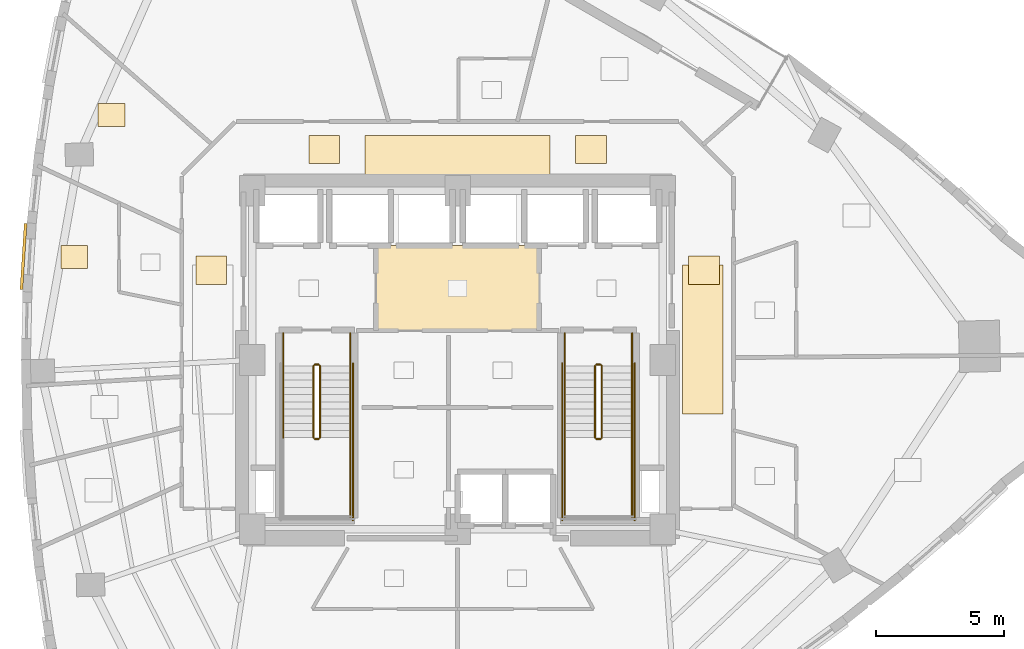
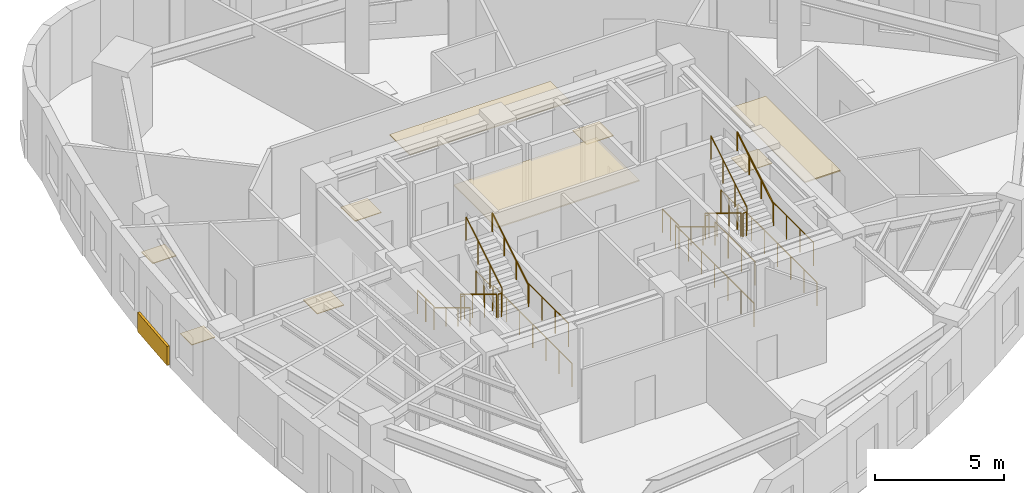
# One storey, part 12 of 13: 22 railings, 10 coverings.
"""IFC4 building model written with IfcOpenShell, lengths in metres."""

from ifc_helpers import new_model, si_unit, direction, frame, origin, origin_2d, place, context, subcontext, project, spatial, rectangle, circle, extrude, material, layer, layer_set, type_object, element, save


model = new_model("IFC4")

# Units and contexts
model_context = context("Model", 3, precision=1e-05, world=origin(), true_north=direction((0.0, 1.0)))
body_context = subcontext(model_context, "Body", "Model", "MODEL_VIEW")
ifc_project = project(units=[si_unit("LENGTHUNIT", "METRE"), si_unit("AREAUNIT", "SQUARE_METRE"), si_unit("VOLUMEUNIT", "CUBIC_METRE"), si_unit("PLANEANGLEUNIT", "RADIAN"), si_unit("MASSUNIT", "GRAM", prefix="KILO")], contexts=[model_context])

# Site, building, storey
site_placement = place(None, origin())
site = spatial("IfcSite", under=ifc_project, at=site_placement, CompositionType="ELEMENT")
building_placement = place(site_placement, origin())
building = spatial("IfcBuilding", under=site, at=building_placement, Name="Ndelora Gate Hotel", CompositionType="ELEMENT")
storey_placement = place(building_placement, frame((0.0, 0.0, 123.5)))
storey = spatial("IfcBuildingStorey", under=building, at=storey_placement, Name="L30", CompositionType="ELEMENT", Elevation=123.5)

# Coverings
ifc_material_1 = material(Name="Perforated Acoustic Gypsum Board", Category="gypsum")
ifc_layer_1 = layer(ifc_material_1, 0.054931640625)
ifc_layer_set_1 = layer_set([ifc_layer_1], Name="Perforated Acoustic Gypsum Board")
covering_type_1 = type_object("IfcCoveringType", Name="COV-CEIL-AC60", PredefinedType="CEILING", material=ifc_layer_set_1)
covering_1_placement = place(storey_placement, frame((0.0, 2.800048828125, 2.72265625), z_axis=(0.0, 0.0, 1.0), x_axis=(1.0, 0.0, 0.0)))
element("IfcCovering", 1, at=covering_1_placement, inside=storey, type_object=covering_type_1, Name="L30 Lift Lobby Acoustic Ceiling", PredefinedType="CEILING", context=body_context, shape_type="SweptSolid", body=[
    extrude(rectangle(XDim=6.39990234375, YDim=3.340087890625, at=origin_2d()), origin(), (0.0, 0.0, 1.0), 0.054931640625),
])
covering_2_placement = place(storey_placement, frame((0.0, 7.9599609375, 2.65234375), z_axis=(0.0, 0.0, 1.0), x_axis=(1.0, 0.0, 0.0)))
element("IfcCovering", 2, at=covering_2_placement, inside=storey, type_object=covering_type_1, Name="L30 Guest Corridor Acoustic Ceiling N", PredefinedType="CEILING", context=body_context, shape_type="SweptSolid", body=[
    extrude(rectangle(XDim=7.199951171875, YDim=1.580078125, at=origin_2d()), origin(), (0.0, 0.0, 1.0), 0.054931640625),
])
covering_3_placement = place(storey_placement, frame((9.550048828125, 0.800048828125, 2.65234375), z_axis=(0.0, 0.0, 1.0), x_axis=(1.0, 0.0, 0.0)))
element("IfcCovering", 3, at=covering_3_placement, inside=storey, type_object=covering_type_1, Name="L30 Guest Corridor Acoustic Ceiling E", PredefinedType="CEILING", context=body_context, shape_type="SweptSolid", body=[
    extrude(rectangle(XDim=1.580078125, YDim=5.800048828125, at=origin_2d()), origin(), (0.0, 0.0, 1.0), 0.054931640625),
])
ifc_material_2 = material(Name="Terracotta Fired Clay Brick Slip Cladding", Category="masonry")
ifc_layer_2 = layer(ifc_material_2, 0.110107421875)
ifc_layer_set_2 = layer_set([ifc_layer_2], Name="Terracotta Fired Clay Brick Slip Cladding")
covering_type_2 = type_object("IfcCoveringType", Name="COV-CLAD-BRK", PredefinedType="CLADDING", material=ifc_layer_set_2)
covering_4_placement = place(storey_placement, frame((-16.9208984375, 4.033203125, 0.10009765625), z_axis=(0.0, 0.0, 1.0), x_axis=(0.063661438132, 0.99797155335, 0.0)))
element("IfcCovering", 4, at=covering_4_placement, inside=storey, type_object=covering_type_2, Name="L30 Rounded-Corner Brick Cladding Band 13", PredefinedType="CLADDING", context=body_context, shape_type="SweptSolid", body=[
    extrude(rectangle(XDim=2.583984375, YDim=0.110107421875, at=origin_2d()), origin(), (0.0, 0.0, 1.0), 0.89990234375),
])
ifc_material_3 = material(Name="Engineered Highland Oak Parquet", Category="wood")
ifc_layer_3 = layer(ifc_material_3, 0.030029296875)
ifc_layer_set_3 = layer_set([ifc_layer_3], Name="Engineered Highland Oak Parquet")
covering_type_3 = type_object("IfcCoveringType", Name="COV-FLR-PARQ", PredefinedType="FLOORING", material=ifc_layer_set_3)
for number, where, z_axis, x_axis, name in (
    (5, (-13.49609375, 9.548828125, 0.0), (0.0, 0.0, 1.0), (1.0, 0.0, 0.0), "L30 Butler Finishing Kitchen Oak Parquet Flooring"),
    (6, (-14.9443359375, 4.015869140625, 0.0), (0.0, 0.0, 1.0), (1.0, 0.0, 0.0), "L30 Club Superior Guest Room 3306 Oak Parquet Flooring"),
):
    element("IfcCovering", number, at=place(storey_placement, frame(where, z_axis=z_axis, x_axis=x_axis)), inside=storey, type_object=covering_type_3, Name=name, PredefinedType="FLOORING", context=body_context, shape_type="SweptSolid", body=[
        extrude(rectangle(XDim=1.050048828125, YDim=0.89990234375, at=origin_2d()), origin(), (0.0, 0.0, 1.0), 0.030029296875),
    ])
ifc_material_4 = material(Name="Polished Highland Stone Terrazzo", Category="masonry")
ifc_layer_4 = layer(ifc_material_4, 0.034912109375)
ifc_layer_set_4 = layer_set([ifc_layer_4], Name="Polished Highland Stone Terrazzo")
covering_type_4 = type_object("IfcCoveringType", Name="COV-FLR-TERZ", PredefinedType="FLOORING", material=ifc_layer_set_4)
for number, where, z_axis, x_axis, name in (
    (7, (-5.199951171875, 8.199951171875, 0.0), (0.0, 0.0, 1.0), (1.0, 0.0, 0.0), "L30 Corridor Threshold Terrazzo Inlay NW"),
    (8, (5.199951171875, 8.199951171875, 0.0), (0.0, 0.0, 1.0), (1.0, 0.0, 0.0), "L30 Corridor Threshold Terrazzo Inlay NE"),
    (9, (-9.60009765625, 3.5, 0.0), (0.0, 0.0, 1.0), (1.0, 0.0, 0.0), "L30 Corridor Threshold Terrazzo Inlay W"),
    (10, (9.60009765625, 3.5, 0.0), (0.0, 0.0, 1.0), (1.0, 0.0, 0.0), "L30 Corridor Threshold Terrazzo Inlay E"),
):
    element("IfcCovering", number, at=place(storey_placement, frame(where, z_axis=z_axis, x_axis=x_axis)), inside=storey, type_object=covering_type_4, Name=name, PredefinedType="FLOORING", context=body_context, shape_type="SweptSolid", body=[
        extrude(rectangle(XDim=1.199951171875, YDim=1.10009765625, at=origin_2d()), origin(), (0.0, 0.0, 1.0), 0.034912109375),
    ])

# Railings
ifc_material_5 = material(Name="Painted Galvanized Steel Balustrade", Category="steel")
ifc_layer_5 = layer(ifc_material_5, 0.06005859375)
ifc_layer_set_5 = layer_set([ifc_layer_5], Name="Painted Galvanized Steel Balustrade")
railing_type_1 = type_object("IfcRailingType", Name="RL-STAIR-GD", PredefinedType="GUARDRAIL", material=ifc_layer_set_5)
railing_1_placement = place(storey_placement, frame((-5.6201171875, -0.22998046875, 0.17041015625)))
element("IfcRailing", 11, at=railing_1_placement, inside=storey, type_object=railing_type_1, Name="L30 ST4 stair guard 1", PredefinedType="GUARDRAIL", context=body_context, shape_type="SweptSolid", body=[
    extrude(circle(Radius=0.02392578125, at=origin_2d()), frame((0.0, 0.0, 1.10595703125), z_axis=(0.0, -0.854169791009, 0.51999420009), x_axis=(1.0, 0.0, 0.0)), (0.0, 0.0, 1.0), 3.278076171875),
    extrude(circle(Radius=0.02099609375, at=origin_2d()), origin(), (0.0, 0.0, 1.0), 1.081787109375),
    extrude(circle(Radius=0.02099609375, at=origin_2d()), frame((0.0, -0.933349609375, 0.568115234375)), (0.0, 0.0, 1.0), 1.081787109375),
    extrude(circle(Radius=0.02099609375, at=origin_2d()), frame((0.0, -1.86669921875, 1.136474609375)), (0.0, 0.0, 1.0), 1.081787109375),
    extrude(circle(Radius=0.02099609375, at=origin_2d()), frame((0.0, -2.800048828125, 1.70458984375)), (0.0, 0.0, 1.0), 1.081787109375),
])
railing_2_placement = place(storey_placement, frame((-5.570068359375, -3.080078125, 1.875)))
element("IfcRailing", 12, at=railing_2_placement, inside=storey, type_object=railing_type_1, Name="L30 ST4 stair guard 2", PredefinedType="GUARDRAIL", context=body_context, shape_type="SweptSolid", body=[
    extrude(circle(Radius=0.02392578125, at=origin_2d()), frame((0.0, 0.0, 1.10595703125), z_axis=(1.0, 0.0, 0.0), x_axis=(0.0, 1.0, 0.0)), (0.0, 0.0, 1.0), 0.16015625),
    extrude(circle(Radius=0.02099609375, at=origin_2d()), origin(), (0.0, 0.0, 1.0), 1.081787109375),
    extrude(circle(Radius=0.02099609375, at=origin_2d()), frame((0.16015625, 0.0, 0.0)), (0.0, 0.0, 1.0), 1.081787109375),
])
railing_3_placement = place(storey_placement, frame((-4.179931640625, -3.030029296875, 1.875)))
element("IfcRailing", 13, at=railing_3_placement, inside=storey, type_object=railing_type_1, Name="L30 ST4 stair guard 4", PredefinedType="GUARDRAIL", context=body_context, shape_type="SweptSolid", body=[
    extrude(circle(Radius=0.02392578125, at=origin_2d()), frame((0.0, 0.0, 1.10595703125), z_axis=(0.0, -1.0, 0.0), x_axis=(1.0, 0.0, 0.0)), (0.0, 0.0, 1.0), 3.119873046875),
    extrude(circle(Radius=0.02099609375, at=origin_2d()), origin(), (0.0, 0.0, 1.0), 1.081787109375),
    extrude(circle(Radius=0.02099609375, at=origin_2d()), frame((0.0, -1.0400390625, 0.0)), (0.0, 0.0, 1.0), 1.081787109375),
    extrude(circle(Radius=0.02099609375, at=origin_2d()), frame((0.0, -2.079833984375, 0.0)), (0.0, 0.0, 1.0), 1.081787109375),
    extrude(circle(Radius=0.02099609375, at=origin_2d()), frame((0.0, -3.119873046875, 0.0)), (0.0, 0.0, 1.0), 1.081787109375),
])
railing_4_placement = place(storey_placement, frame((-5.360107421875, -3.030029296875, 2.04541015625)))
element("IfcRailing", 14, at=railing_4_placement, inside=storey, type_object=railing_type_1, Name="L30 ST4 stair guard 6", PredefinedType="GUARDRAIL", context=body_context, shape_type="SweptSolid", body=[
    extrude(circle(Radius=0.02392578125, at=origin_2d()), frame((0.0, 0.0, 1.10595703125), z_axis=(0.0, 0.854169791009, 0.51999420009), x_axis=(-1.0, 0.0, 0.0)), (0.0, 0.0, 1.0), 3.278076171875),
    extrude(circle(Radius=0.02099609375, at=origin_2d()), origin(), (0.0, 0.0, 1.0), 1.081787109375),
    extrude(circle(Radius=0.02099609375, at=origin_2d()), frame((0.0, 0.933349609375, 0.568115234375)), (0.0, 0.0, 1.0), 1.081787109375),
    extrude(circle(Radius=0.02099609375, at=origin_2d()), frame((0.0, 1.86669921875, 1.136474609375)), (0.0, 0.0, 1.0), 1.081787109375),
    extrude(circle(Radius=0.02099609375, at=origin_2d()), frame((0.0, 2.800048828125, 1.70458984375)), (0.0, 0.0, 1.0), 1.081787109375),
])
railing_5_placement = place(storey_placement, frame((-5.570068359375, -0.179931640625, 0.0)))
element("IfcRailing", 15, at=railing_5_placement, inside=storey, type_object=railing_type_1, Name="L30 ST4 stair guard 7", PredefinedType="GUARDRAIL", context=body_context, shape_type="SweptSolid", body=[
    extrude(circle(Radius=0.02392578125, at=origin_2d()), frame((0.0, 0.0, 1.10595703125), z_axis=(1.0, 0.0, 0.0), x_axis=(0.0, 1.0, 0.0)), (0.0, 0.0, 1.0), 0.16015625),
    extrude(circle(Radius=0.02099609375, at=origin_2d()), origin(), (0.0, 0.0, 1.0), 1.081787109375),
    extrude(circle(Radius=0.02099609375, at=origin_2d()), frame((0.16015625, 0.0, 0.0)), (0.0, 0.0, 1.0), 1.081787109375),
])
for number, where, name in (
    (16, (-6.800048828125, 1.050048828125, 0.0), "L30 ST4 stair guard 8"),
    (17, (-4.179931640625, 1.050048828125, 0.0), "L30 ST4 stair guard 9"),
):
    element("IfcRailing", number, at=place(storey_placement, frame(where)), inside=storey, type_object=railing_type_1, Name=name, PredefinedType="GUARDRAIL", context=body_context, shape_type="SweptSolid", body=[
        extrude(circle(Radius=0.02392578125, at=origin_2d()), frame((0.0, 0.0, 1.10595703125), z_axis=(0.0, -1.0, 0.0), x_axis=(1.0, 0.0, 0.0)), (0.0, 0.0, 1.0), 1.280029296875),
        extrude(circle(Radius=0.02099609375, at=origin_2d()), origin(), (0.0, 0.0, 1.0), 1.081787109375),
        extrude(circle(Radius=0.02099609375, at=origin_2d()), frame((0.0, -0.64013671875, 0.0)), (0.0, 0.0, 1.0), 1.081787109375),
        extrude(circle(Radius=0.02099609375, at=origin_2d()), frame((0.0, -1.280029296875, 0.0)), (0.0, 0.0, 1.0), 1.081787109375),
    ])
railing_6_placement = place(storey_placement, frame((-4.080078125, -0.1298828125, 0.0)))
element("IfcRailing", 18, at=railing_6_placement, inside=storey, type_object=railing_type_1, Name="L30 ST4 stair guard 11", PredefinedType="GUARDRAIL", context=body_context, shape_type="SweptSolid", body=[
    extrude(circle(Radius=0.02392578125, at=origin_2d()), frame((0.0, 0.0, 1.10595703125), z_axis=(0.0, -1.0, 0.0), x_axis=(1.0, 0.0, 0.0)), (0.0, 0.0, 1.0), 6.1201171875),
    extrude(circle(Radius=0.02099609375, at=origin_2d()), origin(), (0.0, 0.0, 1.0), 1.081787109375),
    extrude(circle(Radius=0.02099609375, at=origin_2d()), frame((0.0, -1.02001953125, 0.0)), (0.0, 0.0, 1.0), 1.081787109375),
    extrude(circle(Radius=0.02099609375, at=origin_2d()), frame((0.0, -2.0400390625, 0.0)), (0.0, 0.0, 1.0), 1.081787109375),
    extrude(circle(Radius=0.02099609375, at=origin_2d()), frame((0.0, -3.06005859375, 0.0)), (0.0, 0.0, 1.0), 1.081787109375),
    extrude(circle(Radius=0.02099609375, at=origin_2d()), frame((0.0, -4.080078125, 0.0)), (0.0, 0.0, 1.0), 1.081787109375),
    extrude(circle(Radius=0.02099609375, at=origin_2d()), frame((0.0, -5.10009765625, 0.0)), (0.0, 0.0, 1.0), 1.081787109375),
    extrude(circle(Radius=0.02099609375, at=origin_2d()), frame((0.0, -6.1201171875, 0.0)), (0.0, 0.0, 1.0), 1.081787109375),
])
railing_7_placement = place(storey_placement, frame((5.360107421875, -0.22998046875, 0.17041015625)))
element("IfcRailing", 19, at=railing_7_placement, inside=storey, type_object=railing_type_1, Name="L30 ST5 stair guard 1", PredefinedType="GUARDRAIL", context=body_context, shape_type="SweptSolid", body=[
    extrude(circle(Radius=0.02392578125, at=origin_2d()), frame((0.0, 0.0, 1.10595703125), z_axis=(0.0, -0.854169791009, 0.51999420009), x_axis=(1.0, 0.0, 0.0)), (0.0, 0.0, 1.0), 3.278076171875),
    extrude(circle(Radius=0.02099609375, at=origin_2d()), origin(), (0.0, 0.0, 1.0), 1.081787109375),
    extrude(circle(Radius=0.02099609375, at=origin_2d()), frame((0.0, -0.933349609375, 0.568115234375)), (0.0, 0.0, 1.0), 1.081787109375),
    extrude(circle(Radius=0.02099609375, at=origin_2d()), frame((0.0, -1.86669921875, 1.136474609375)), (0.0, 0.0, 1.0), 1.081787109375),
    extrude(circle(Radius=0.02099609375, at=origin_2d()), frame((0.0, -2.800048828125, 1.70458984375)), (0.0, 0.0, 1.0), 1.081787109375),
])
railing_8_placement = place(storey_placement, frame((5.409912109375, -3.080078125, 1.875)))
element("IfcRailing", 20, at=railing_8_placement, inside=storey, type_object=railing_type_1, Name="L30 ST5 stair guard 2", PredefinedType="GUARDRAIL", context=body_context, shape_type="SweptSolid", body=[
    extrude(circle(Radius=0.02392578125, at=origin_2d()), frame((0.0, 0.0, 1.10595703125), z_axis=(1.0, 0.0, 0.0), x_axis=(0.0, 1.0, 0.0)), (0.0, 0.0, 1.0), 0.16015625),
    extrude(circle(Radius=0.02099609375, at=origin_2d()), origin(), (0.0, 0.0, 1.0), 1.081787109375),
    extrude(circle(Radius=0.02099609375, at=origin_2d()), frame((0.16015625, 0.0, 0.0)), (0.0, 0.0, 1.0), 1.081787109375),
])
for number, where, name in (
    (21, (4.179931640625, -3.030029296875, 1.875), "L30 ST5 stair guard 3"),
    (22, (6.800048828125, -3.030029296875, 1.875), "L30 ST5 stair guard 4"),
):
    element("IfcRailing", number, at=place(storey_placement, frame(where)), inside=storey, type_object=railing_type_1, Name=name, PredefinedType="GUARDRAIL", context=body_context, shape_type="SweptSolid", body=[
        extrude(circle(Radius=0.02392578125, at=origin_2d()), frame((0.0, 0.0, 1.10595703125), z_axis=(0.0, -1.0, 0.0), x_axis=(1.0, 0.0, 0.0)), (0.0, 0.0, 1.0), 3.119873046875),
        extrude(circle(Radius=0.02099609375, at=origin_2d()), origin(), (0.0, 0.0, 1.0), 1.081787109375),
        extrude(circle(Radius=0.02099609375, at=origin_2d()), frame((0.0, -1.0400390625, 0.0)), (0.0, 0.0, 1.0), 1.081787109375),
        extrude(circle(Radius=0.02099609375, at=origin_2d()), frame((0.0, -2.079833984375, 0.0)), (0.0, 0.0, 1.0), 1.081787109375),
        extrude(circle(Radius=0.02099609375, at=origin_2d()), frame((0.0, -3.119873046875, 0.0)), (0.0, 0.0, 1.0), 1.081787109375),
    ])
railing_9_placement = place(storey_placement, frame((5.6201171875, -3.030029296875, 2.04541015625)))
element("IfcRailing", 23, at=railing_9_placement, inside=storey, type_object=railing_type_1, Name="L30 ST5 stair guard 6", PredefinedType="GUARDRAIL", context=body_context, shape_type="SweptSolid", body=[
    extrude(circle(Radius=0.02392578125, at=origin_2d()), frame((0.0, 0.0, 1.10595703125), z_axis=(0.0, 0.854169791009, 0.51999420009), x_axis=(-1.0, 0.0, 0.0)), (0.0, 0.0, 1.0), 3.278076171875),
    extrude(circle(Radius=0.02099609375, at=origin_2d()), origin(), (0.0, 0.0, 1.0), 1.081787109375),
    extrude(circle(Radius=0.02099609375, at=origin_2d()), frame((0.0, 0.933349609375, 0.568115234375)), (0.0, 0.0, 1.0), 1.081787109375),
    extrude(circle(Radius=0.02099609375, at=origin_2d()), frame((0.0, 1.86669921875, 1.136474609375)), (0.0, 0.0, 1.0), 1.081787109375),
    extrude(circle(Radius=0.02099609375, at=origin_2d()), frame((0.0, 2.800048828125, 1.70458984375)), (0.0, 0.0, 1.0), 1.081787109375),
])
railing_10_placement = place(storey_placement, frame((5.409912109375, -0.179931640625, 0.0)))
element("IfcRailing", 24, at=railing_10_placement, inside=storey, type_object=railing_type_1, Name="L30 ST5 stair guard 7", PredefinedType="GUARDRAIL", context=body_context, shape_type="SweptSolid", body=[
    extrude(circle(Radius=0.02392578125, at=origin_2d()), frame((0.0, 0.0, 1.10595703125), z_axis=(1.0, 0.0, 0.0), x_axis=(0.0, 1.0, 0.0)), (0.0, 0.0, 1.0), 0.16015625),
    extrude(circle(Radius=0.02099609375, at=origin_2d()), origin(), (0.0, 0.0, 1.0), 1.081787109375),
    extrude(circle(Radius=0.02099609375, at=origin_2d()), frame((0.16015625, 0.0, 0.0)), (0.0, 0.0, 1.0), 1.081787109375),
])
for number, where, name in (
    (25, (4.179931640625, 1.050048828125, 0.0), "L30 ST5 stair guard 8"),
    (26, (6.800048828125, 1.050048828125, 0.0), "L30 ST5 stair guard 9"),
):
    element("IfcRailing", number, at=place(storey_placement, frame(where)), inside=storey, type_object=railing_type_1, Name=name, PredefinedType="GUARDRAIL", context=body_context, shape_type="SweptSolid", body=[
        extrude(circle(Radius=0.02392578125, at=origin_2d()), frame((0.0, 0.0, 1.10595703125), z_axis=(0.0, -1.0, 0.0), x_axis=(1.0, 0.0, 0.0)), (0.0, 0.0, 1.0), 1.280029296875),
        extrude(circle(Radius=0.02099609375, at=origin_2d()), origin(), (0.0, 0.0, 1.0), 1.081787109375),
        extrude(circle(Radius=0.02099609375, at=origin_2d()), frame((0.0, -0.64013671875, 0.0)), (0.0, 0.0, 1.0), 1.081787109375),
        extrude(circle(Radius=0.02099609375, at=origin_2d()), frame((0.0, -1.280029296875, 0.0)), (0.0, 0.0, 1.0), 1.081787109375),
    ])
for number, where, name in (
    (27, (4.080078125, -0.1298828125, 0.0), "L30 ST5 stair guard 10"),
    (28, (6.89990234375, -0.1298828125, 0.0), "L30 ST5 stair guard 11"),
):
    element("IfcRailing", number, at=place(storey_placement, frame(where)), inside=storey, type_object=railing_type_1, Name=name, PredefinedType="GUARDRAIL", context=body_context, shape_type="SweptSolid", body=[
        extrude(circle(Radius=0.02392578125, at=origin_2d()), frame((0.0, 0.0, 1.10595703125), z_axis=(0.0, -1.0, 0.0), x_axis=(1.0, 0.0, 0.0)), (0.0, 0.0, 1.0), 6.1201171875),
        extrude(circle(Radius=0.02099609375, at=origin_2d()), origin(), (0.0, 0.0, 1.0), 1.081787109375),
        extrude(circle(Radius=0.02099609375, at=origin_2d()), frame((0.0, -1.02001953125, 0.0)), (0.0, 0.0, 1.0), 1.081787109375),
        extrude(circle(Radius=0.02099609375, at=origin_2d()), frame((0.0, -2.0400390625, 0.0)), (0.0, 0.0, 1.0), 1.081787109375),
        extrude(circle(Radius=0.02099609375, at=origin_2d()), frame((0.0, -3.06005859375, 0.0)), (0.0, 0.0, 1.0), 1.081787109375),
        extrude(circle(Radius=0.02099609375, at=origin_2d()), frame((0.0, -4.080078125, 0.0)), (0.0, 0.0, 1.0), 1.081787109375),
        extrude(circle(Radius=0.02099609375, at=origin_2d()), frame((0.0, -5.10009765625, 0.0)), (0.0, 0.0, 1.0), 1.081787109375),
        extrude(circle(Radius=0.02099609375, at=origin_2d()), frame((0.0, -6.1201171875, 0.0)), (0.0, 0.0, 1.0), 1.081787109375),
    ])
ifc_material_6 = material(Name="Brushed Stainless Steel 316", Category="steel")
ifc_layer_6 = layer(ifc_material_6, 0.050048828125)
ifc_layer_set_6 = layer_set([ifc_layer_6], Name="Brushed Stainless Steel 316")
railing_type_2 = type_object("IfcRailingType", Name="RL-STAIR-HR", PredefinedType="HANDRAIL", material=ifc_layer_set_6)
railing_11_placement = place(storey_placement, frame((-6.800048828125, -0.22998046875, 0.17041015625)))
element("IfcRailing", 29, at=railing_11_placement, inside=storey, type_object=railing_type_2, Name="L30 ST4 stair handrail 1", PredefinedType="HANDRAIL", context=body_context, shape_type="SweptSolid", body=[
    extrude(circle(Radius=0.02392578125, at=origin_2d()), frame((0.0, 0.0, 0.8759765625), z_axis=(0.0, -0.854169791009, 0.51999420009), x_axis=(1.0, 0.0, 0.0)), (0.0, 0.0, 1.0), 3.278076171875),
    extrude(circle(Radius=0.02099609375, at=origin_2d()), origin(), (0.0, 0.0, 1.0), 0.851806640625),
    extrude(circle(Radius=0.02099609375, at=origin_2d()), frame((0.0, -0.933349609375, 0.568115234375)), (0.0, 0.0, 1.0), 0.851806640625),
    extrude(circle(Radius=0.02099609375, at=origin_2d()), frame((0.0, -1.86669921875, 1.136474609375)), (0.0, 0.0, 1.0), 0.851806640625),
    extrude(circle(Radius=0.02099609375, at=origin_2d()), frame((0.0, -2.800048828125, 1.70458984375)), (0.0, 0.0, 1.0), 0.851806640625),
])
railing_12_placement = place(storey_placement, frame((-4.179931640625, -3.030029296875, 2.04541015625)))
element("IfcRailing", 30, at=railing_12_placement, inside=storey, type_object=railing_type_2, Name="L30 ST4 stair handrail 2", PredefinedType="HANDRAIL", context=body_context, shape_type="SweptSolid", body=[
    extrude(circle(Radius=0.02392578125, at=origin_2d()), frame((0.0, 0.0, 0.8759765625), z_axis=(0.0, 0.854169791009, 0.51999420009), x_axis=(-1.0, 0.0, 0.0)), (0.0, 0.0, 1.0), 3.278076171875),
    extrude(circle(Radius=0.02099609375, at=origin_2d()), origin(), (0.0, 0.0, 1.0), 0.851806640625),
    extrude(circle(Radius=0.02099609375, at=origin_2d()), frame((0.0, 0.933349609375, 0.568115234375)), (0.0, 0.0, 1.0), 0.851806640625),
    extrude(circle(Radius=0.02099609375, at=origin_2d()), frame((0.0, 1.86669921875, 1.136474609375)), (0.0, 0.0, 1.0), 0.851806640625),
    extrude(circle(Radius=0.02099609375, at=origin_2d()), frame((0.0, 2.800048828125, 1.70458984375)), (0.0, 0.0, 1.0), 0.851806640625),
])
railing_13_placement = place(storey_placement, frame((4.179931640625, -0.22998046875, 0.17041015625)))
element("IfcRailing", 31, at=railing_13_placement, inside=storey, type_object=railing_type_2, Name="L30 ST5 stair handrail 1", PredefinedType="HANDRAIL", context=body_context, shape_type="SweptSolid", body=[
    extrude(circle(Radius=0.02392578125, at=origin_2d()), frame((0.0, 0.0, 0.8759765625), z_axis=(0.0, -0.854169791009, 0.51999420009), x_axis=(1.0, 0.0, 0.0)), (0.0, 0.0, 1.0), 3.278076171875),
    extrude(circle(Radius=0.02099609375, at=origin_2d()), origin(), (0.0, 0.0, 1.0), 0.851806640625),
    extrude(circle(Radius=0.02099609375, at=origin_2d()), frame((0.0, -0.933349609375, 0.568115234375)), (0.0, 0.0, 1.0), 0.851806640625),
    extrude(circle(Radius=0.02099609375, at=origin_2d()), frame((0.0, -1.86669921875, 1.136474609375)), (0.0, 0.0, 1.0), 0.851806640625),
    extrude(circle(Radius=0.02099609375, at=origin_2d()), frame((0.0, -2.800048828125, 1.70458984375)), (0.0, 0.0, 1.0), 0.851806640625),
])
railing_14_placement = place(storey_placement, frame((6.800048828125, -3.030029296875, 2.04541015625)))
element("IfcRailing", 32, at=railing_14_placement, inside=storey, type_object=railing_type_2, Name="L30 ST5 stair handrail 2", PredefinedType="HANDRAIL", context=body_context, shape_type="SweptSolid", body=[
    extrude(circle(Radius=0.02392578125, at=origin_2d()), frame((0.0, 0.0, 0.8759765625), z_axis=(0.0, 0.854169791009, 0.51999420009), x_axis=(-1.0, 0.0, 0.0)), (0.0, 0.0, 1.0), 3.278076171875),
    extrude(circle(Radius=0.02099609375, at=origin_2d()), origin(), (0.0, 0.0, 1.0), 0.851806640625),
    extrude(circle(Radius=0.02099609375, at=origin_2d()), frame((0.0, 0.933349609375, 0.568115234375)), (0.0, 0.0, 1.0), 0.851806640625),
    extrude(circle(Radius=0.02099609375, at=origin_2d()), frame((0.0, 1.86669921875, 1.136474609375)), (0.0, 0.0, 1.0), 0.851806640625),
    extrude(circle(Radius=0.02099609375, at=origin_2d()), frame((0.0, 2.800048828125, 1.70458984375)), (0.0, 0.0, 1.0), 0.851806640625),
])

save(model, "model.ifc")
